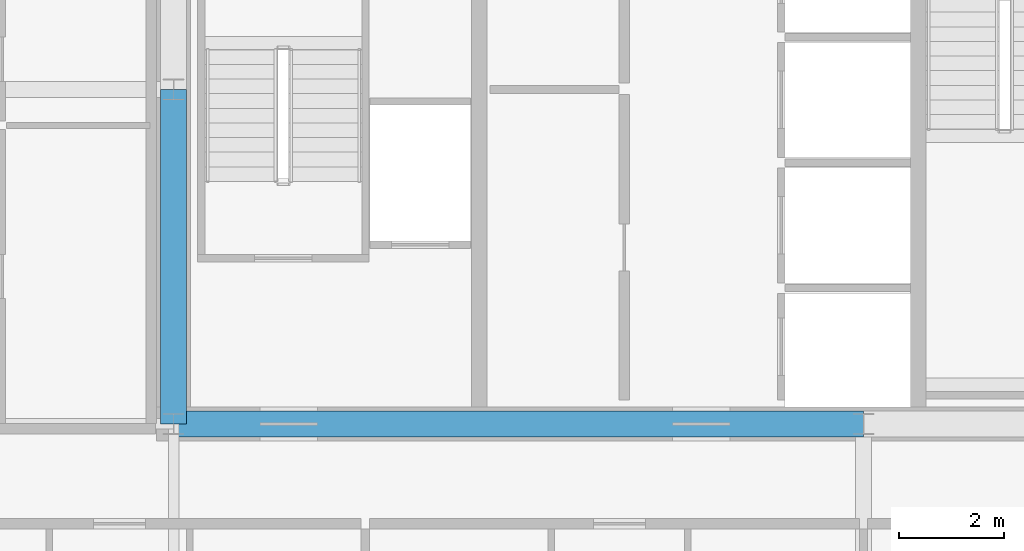
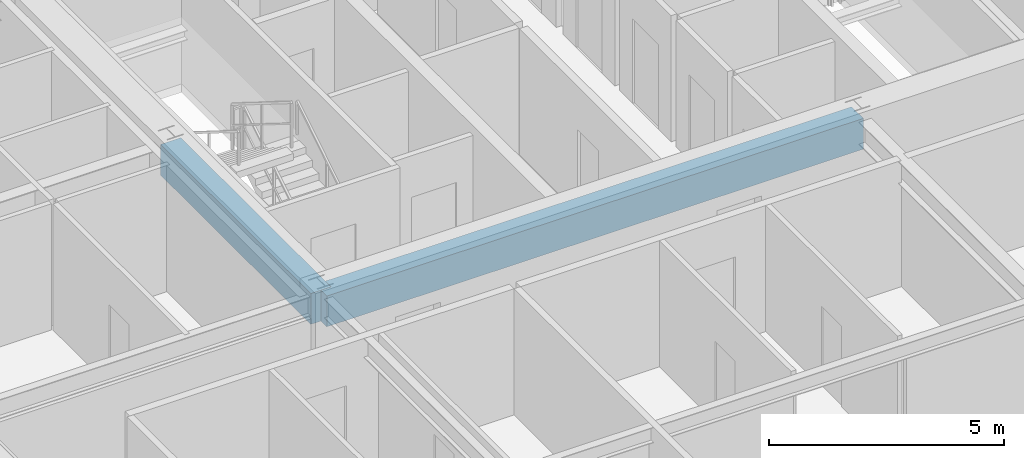
# One storey, part 14 of 42: 2 beams.
"""IFC4 building model written with IfcOpenShell, lengths in metres."""

from ifc_helpers import new_model, si_unit, direction, frame, origin, origin_2d, place, context, subcontext, project, spatial, rectangle, extrude, source, transform, mapped, material, material_profile, profile_set, type_object, element, save


model = new_model("IFC4")

# Units and contexts
model_context = context("Model", 3, precision=1e-05, world=origin(), true_north=direction((0.0, 1.0)))
body_context = subcontext(model_context, "Body", "Model", "MODEL_VIEW")
ifc_project = project(units=[si_unit("LENGTHUNIT", "METRE"), si_unit("AREAUNIT", "SQUARE_METRE"), si_unit("VOLUMEUNIT", "CUBIC_METRE"), si_unit("PLANEANGLEUNIT", "RADIAN"), si_unit("MASSUNIT", "GRAM", prefix="KILO"), si_unit("THERMODYNAMICTEMPERATUREUNIT", "KELVIN"), si_unit("POWERUNIT", "WATT")], contexts=[model_context])

# Site, building, storey
site_placement = place(None, origin())
site = spatial("IfcSite", under=ifc_project, at=site_placement, CompositionType="ELEMENT")
building_placement = place(site_placement, origin())
building = spatial("IfcBuilding", under=site, at=building_placement, Name="Yuzanri Waterfront Tower", CompositionType="ELEMENT")
storey_placement = place(building_placement, frame((0.0, 0.0, 184.5)))
storey = spatial("IfcBuildingStorey", under=building, at=storey_placement, Name="L48", CompositionType="ELEMENT", Elevation=184.5)

# Beams
ifc_material = material(Name="Concrete C50", Category="concrete")
ifc_material_profile = material_profile(ifc_material, rectangle(XDim=0.5, YDim=0.800048828125, at=origin_2d()), Name="RC 500x800")
ifc_profile_set = profile_set([ifc_material_profile], Name="Concrete C50")
beam_type = type_object("IfcBeamType", Name="Core Coupling Lintel Concrete C50 500x800", PredefinedType="LINTEL", material=ifc_profile_set)
shared_shape_1 = source(origin(), body_context, "Body", "SweptSolid", [
    extrude(rectangle(XDim=0.5, YDim=0.800048828125, at=origin_2d()), origin(), (0.0, 0.0, 1.0), 13.199951171875),
])
beam_1_placement = place(storey_placement, frame((23.800048828125, 19.39990234375, 2.8798828125), z_axis=(1.0, 0.0, 0.0), x_axis=(0.0, 1.0, 0.0)))
element("IfcBeam", 1, at=beam_1_placement, inside=storey, type_object=beam_type, Name="L48 Core Tie Beam CS1", PredefinedType="LINTEL", context=body_context, shape_type="MappedRepresentation", body=[
    mapped(shared_shape_1, transform((0.0, 0.0, 0.0), scale=1.0)),
])
shared_shape_2 = source(origin(), body_context, "Body", "SweptSolid", [
    extrude(rectangle(XDim=0.5, YDim=0.800048828125, at=origin_2d()), origin(), (0.0, 0.0, 1.0), 6.400146484375),
])
beam_2_placement = place(storey_placement, frame((23.800048828125, 19.39990234375, 2.8798828125), z_axis=(0.0, 1.0, 0.0), x_axis=(-1.0, 0.0, 0.0)))
element("IfcBeam", 2, at=beam_2_placement, inside=storey, type_object=beam_type, Name="L48 Core Tie Beam CW1", PredefinedType="LINTEL", context=body_context, shape_type="MappedRepresentation", body=[
    mapped(shared_shape_2, transform((0.0, 0.0, 0.0), scale=1.0)),
])

save(model, "model.ifc")
